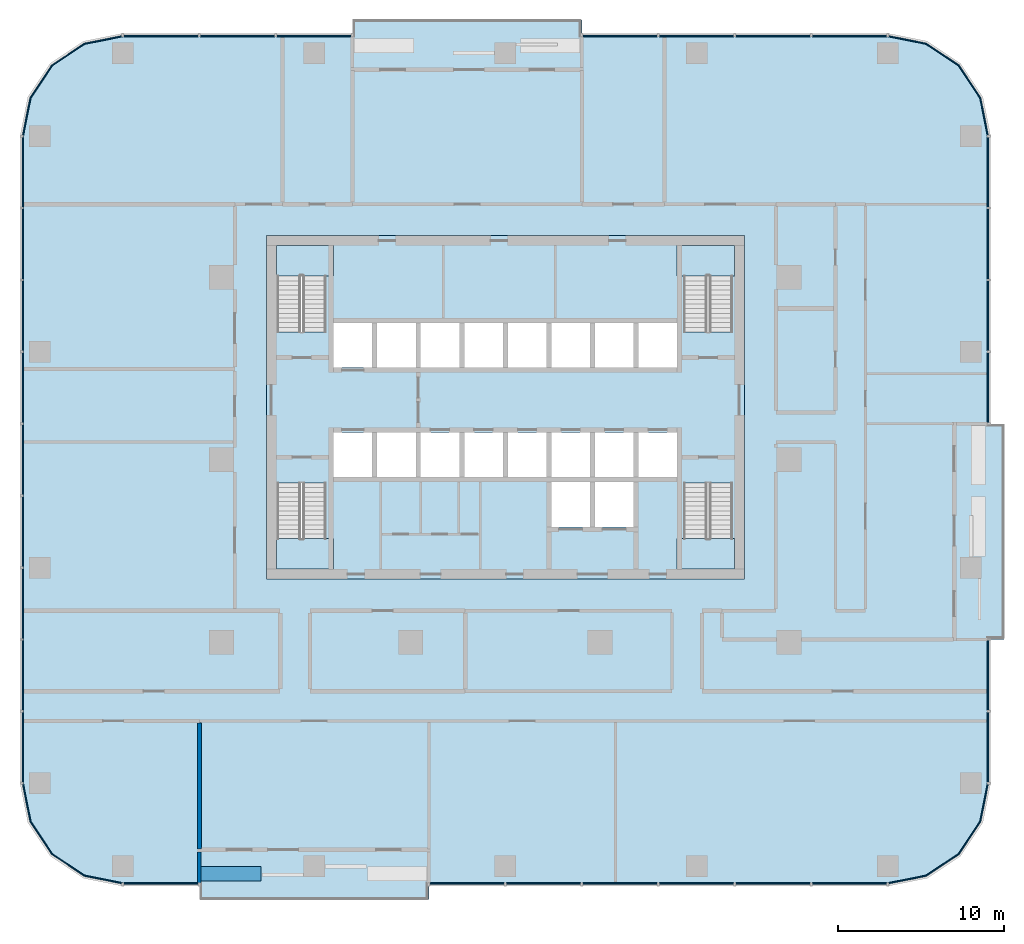
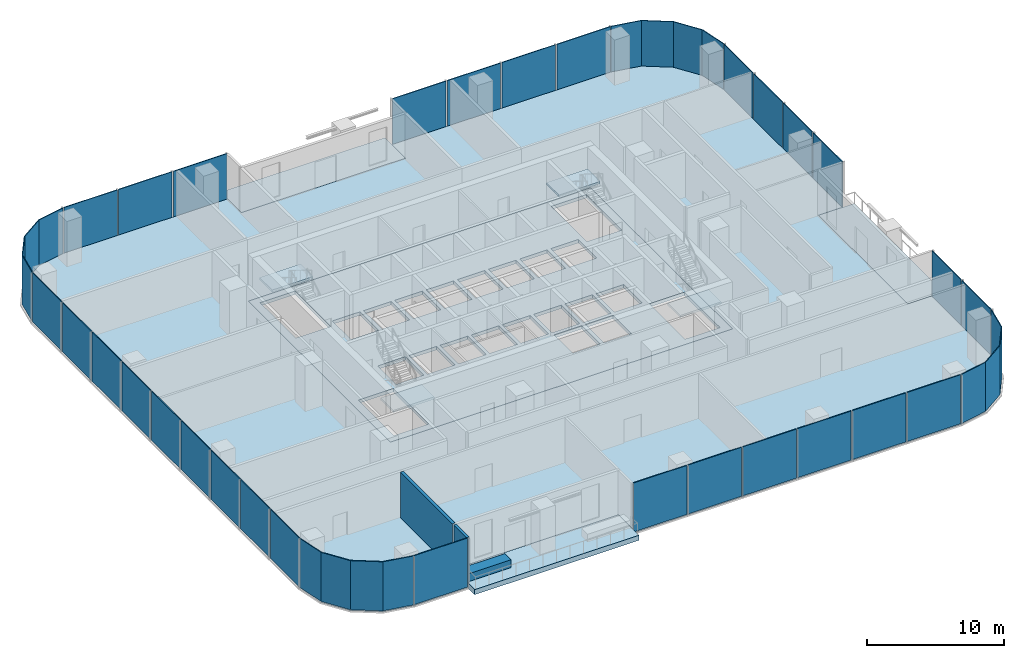
# One storey, part 6 of 14: 33 plates, 9 slabs, 3 walls, 15 elements without a shape of their own.
"""IFC4 building model written with IfcOpenShell, lengths in metres."""

from ifc_helpers import new_model, si_unit, direction, frame, frame_2d, origin, origin_2d, place, context, subcontext, project, spatial, polyline, rectangle, outline, extrude, material, layer, layer_set, type_object, element, aggregate, save


model = new_model("IFC4")

# Units and contexts
model_context = context("Model", 3, precision=1e-05, world=origin(), true_north=direction((0.0, 1.0)))
body_context = subcontext(model_context, "Body", "Model", "MODEL_VIEW")
ifc_project = project(units=[si_unit("LENGTHUNIT", "METRE"), si_unit("AREAUNIT", "SQUARE_METRE"), si_unit("VOLUMEUNIT", "CUBIC_METRE"), si_unit("PLANEANGLEUNIT", "RADIAN"), si_unit("MASSUNIT", "GRAM", prefix="KILO")], contexts=[model_context])

# Site, building, storey
site_placement = place(None, origin())
site = spatial("IfcSite", under=ifc_project, at=site_placement, CompositionType="ELEMENT")
building_placement = place(site_placement, origin())
building = spatial("IfcBuilding", under=site, at=building_placement, Name="Mopane Tessera Tower", CompositionType="ELEMENT")
storey_placement = place(building_placement, frame((0.0, 0.0, 139.60009765625)))
storey = spatial("IfcBuildingStorey", under=building, at=storey_placement, Name="L28", CompositionType="ELEMENT", Elevation=139.60009765625)

# Slab
ifc_material_1 = material(Name="Concrete C40/50", Category="concrete")
ifc_layer_1 = layer(ifc_material_1, 0.300048828125)
ifc_layer_set_1 = layer_set([ifc_layer_1], Name="Concrete C40/50")
slab_type_1 = type_object("IfcSlabType", Name="Core floor slab 300 mm", PredefinedType="FLOOR", material=ifc_layer_set_1)
slab_1_placement = place(storey_placement, frame((0.0, 0.0, -0.300048828125)))
element("IfcSlab", 1, at=slab_1_placement, inside=storey, type_object=slab_type_1, Name="L28 core floor slab", PredefinedType="FLOOR", context=body_context, shape_type="SweptSolid", body=[
    extrude(outline(polyline([(-14.39990234375, -7.199951171875), (14.39990234375, -7.199951171875), (14.39990234375, 13.5), (-14.39990234375, 13.5), (-14.39990234375, -7.199951171875)]), holes=[polyline([(-10.35009765625, -1.050048828125), (-8.02490234375, -1.050048828125), (-8.02490234375, 1.64990234375), (-10.35009765625, 1.64990234375), (-10.35009765625, -1.050048828125)]), polyline([(-7.72509765625, -1.050048828125), (-5.39990234375, -1.050048828125), (-5.39990234375, 1.64990234375), (-7.72509765625, 1.64990234375), (-7.72509765625, -1.050048828125)]), polyline([(-5.10009765625, -1.050048828125), (-2.77490234375, -1.050048828125), (-2.77490234375, 1.64990234375), (-5.10009765625, 1.64990234375), (-5.10009765625, -1.050048828125)]), polyline([(-2.47509765625, -1.050048828125), (-0.14990234375, -1.050048828125), (-0.14990234375, 1.64990234375), (-2.47509765625, 1.64990234375), (-2.47509765625, -1.050048828125)]), polyline([(0.14990234375, -1.050048828125), (2.47509765625, -1.050048828125), (2.47509765625, 1.64990234375), (0.14990234375, 1.64990234375), (0.14990234375, -1.050048828125)]), polyline([(2.77490234375, -1.050048828125), (5.10009765625, -1.050048828125), (5.10009765625, 1.64990234375), (2.77490234375, 1.64990234375), (2.77490234375, -1.050048828125)]), polyline([(5.39990234375, -1.050048828125), (7.72509765625, -1.050048828125), (7.72509765625, 1.64990234375), (5.39990234375, 1.64990234375), (5.39990234375, -1.050048828125)]), polyline([(8.02490234375, -1.050048828125), (10.35009765625, -1.050048828125), (10.35009765625, 1.64990234375), (8.02490234375, 1.64990234375), (8.02490234375, -1.050048828125)]), polyline([(-10.35009765625, 5.550048828125), (-8.02490234375, 5.550048828125), (-8.02490234375, 8.25), (-10.35009765625, 8.25), (-10.35009765625, 5.550048828125)]), polyline([(-7.72509765625, 5.550048828125), (-5.39990234375, 5.550048828125), (-5.39990234375, 8.25), (-7.72509765625, 8.25), (-7.72509765625, 5.550048828125)]), polyline([(-5.10009765625, 5.550048828125), (-2.77490234375, 5.550048828125), (-2.77490234375, 8.25), (-5.10009765625, 8.25), (-5.10009765625, 5.550048828125)]), polyline([(-2.47509765625, 5.550048828125), (-0.14990234375, 5.550048828125), (-0.14990234375, 8.25), (-2.47509765625, 8.25), (-2.47509765625, 5.550048828125)]), polyline([(0.14990234375, 5.550048828125), (2.47509765625, 5.550048828125), (2.47509765625, 8.25), (0.14990234375, 8.25), (0.14990234375, 5.550048828125)]), polyline([(2.77490234375, 5.550048828125), (5.10009765625, 5.550048828125), (5.10009765625, 8.25), (2.77490234375, 8.25), (2.77490234375, 5.550048828125)]), polyline([(5.39990234375, 5.550048828125), (7.72509765625, 5.550048828125), (7.72509765625, 8.25), (5.39990234375, 8.25), (5.39990234375, 5.550048828125)]), polyline([(8.02490234375, 5.550048828125), (10.35009765625, 5.550048828125), (10.35009765625, 8.25), (8.02490234375, 8.25), (8.02490234375, 5.550048828125)]), polyline([(2.77490234375, -4.050048828125), (5.10009765625, -4.050048828125), (5.10009765625, -1.35009765625), (2.77490234375, -1.35009765625), (2.77490234375, -4.050048828125)]), polyline([(5.39990234375, -4.050048828125), (7.72509765625, -4.050048828125), (7.72509765625, -1.35009765625), (5.39990234375, -1.35009765625), (5.39990234375, -4.050048828125)]), polyline([(-13.75, -1.405029296875), (-13.75, -6.60009765625), (-10.800048828125, -6.60009765625), (-10.800048828125, -1.405029296875), (-13.75, -1.405029296875)]), polyline([(-10.800048828125, 7.705078125), (-10.800048828125, 12.89990234375), (-13.75, 12.89990234375), (-13.75, 7.705078125), (-10.800048828125, 7.705078125)]), polyline([(10.75, -1.405029296875), (10.75, -6.60009765625), (13.699951171875, -6.60009765625), (13.699951171875, -1.405029296875), (10.75, -1.405029296875)]), polyline([(13.699951171875, 7.705078125), (13.699951171875, 12.89990234375), (10.75, 12.89990234375), (10.75, 7.705078125), (13.699951171875, 7.705078125)])]), origin(), (0.0, 0.0, 1.0), 0.300048828125),
])

# Stair, slab
ifc_material_2 = material(Name="Concrete C50/60", Category="concrete")
stair_type = type_object("IfcStairType", Name="Escape stair 1400 mm, riser 173 mm", PredefinedType="HALF_TURN_STAIR", material=ifc_material_2)
stair_1_placement = place(storey_placement, origin())
stair_1 = element("IfcStair", 2, at=stair_1_placement, inside=storey, type_object=stair_type, Name="L28 Escape stair south-west", PredefinedType="HALF_TURN_STAIR")
ifc_material_3 = material(Name="Concrete C50/60", Category="concrete")
ifc_layer_2 = layer(ifc_material_3, 0.199951171875)
ifc_layer_set_2 = layer_set([ifc_layer_2], Name="Concrete C50/60")
slab_type_2 = type_object("IfcSlabType", Name="Escape stair landing 200 mm", PredefinedType="LANDING", material=ifc_layer_set_2)
slab_2_placement = place(storey_placement, frame((0.0, 0.0, 2.0498046875)))
slab_2 = element("IfcSlab", 3, at=slab_2_placement, type_object=slab_type_2, Name="ST1 landing 1", PredefinedType="LANDING", context=body_context, shape_type="SweptSolid", body=[
    extrude(outline(polyline([(-13.800048828125, -4.760009765625), (-13.800048828125, -6.60009765625), (-10.35009765625, -6.60009765625), (-10.35009765625, -4.760009765625), (-13.800048828125, -4.760009765625)])), origin(), (0.0, 0.0, 1.0), 0.2001953125),
])
aggregate(stair_1, [slab_2])

stair_2_placement = place(storey_placement, origin())
stair_2 = element("IfcStair", 4, at=stair_2_placement, inside=storey, type_object=stair_type, Name="L28 Escape stair north-west", PredefinedType="HALF_TURN_STAIR")
slab_3_placement = place(storey_placement, frame((0.0, 0.0, 2.0498046875)))
slab_3 = element("IfcSlab", 5, at=slab_3_placement, type_object=slab_type_2, Name="ST2 landing 1", PredefinedType="LANDING", context=body_context, shape_type="SweptSolid", body=[
    extrude(outline(polyline([(-10.35009765625, 11.06005859375), (-10.35009765625, 12.89990234375), (-13.800048828125, 12.89990234375), (-13.800048828125, 11.06005859375), (-10.35009765625, 11.06005859375)])), origin(), (0.0, 0.0, 1.0), 0.2001953125),
])
aggregate(stair_2, [slab_3])

stair_3_placement = place(storey_placement, origin())
stair_3 = element("IfcStair", 6, at=stair_3_placement, inside=storey, type_object=stair_type, Name="L28 Escape stair south-east", PredefinedType="HALF_TURN_STAIR")
slab_4_placement = place(storey_placement, frame((0.0, 0.0, 2.0498046875)))
slab_4 = element("IfcSlab", 7, at=slab_4_placement, type_object=slab_type_2, Name="ST3 landing 1", PredefinedType="LANDING", context=body_context, shape_type="SweptSolid", body=[
    extrude(outline(polyline([(10.35009765625, -4.760009765625), (10.35009765625, -6.60009765625), (13.800048828125, -6.60009765625), (13.800048828125, -4.760009765625), (10.35009765625, -4.760009765625)])), origin(), (0.0, 0.0, 1.0), 0.2001953125),
])
aggregate(stair_3, [slab_4])

stair_4_placement = place(storey_placement, origin())
stair_4 = element("IfcStair", 8, at=stair_4_placement, inside=storey, type_object=stair_type, Name="L28 Escape stair north-east", PredefinedType="HALF_TURN_STAIR")
slab_5_placement = place(storey_placement, frame((0.0, 0.0, 2.0498046875)))
slab_5 = element("IfcSlab", 9, at=slab_5_placement, type_object=slab_type_2, Name="ST4 landing 1", PredefinedType="LANDING", context=body_context, shape_type="SweptSolid", body=[
    extrude(outline(polyline([(13.800048828125, 11.06005859375), (13.800048828125, 12.89990234375), (10.35009765625, 12.89990234375), (10.35009765625, 11.06005859375), (13.800048828125, 11.06005859375)])), origin(), (0.0, 0.0, 1.0), 0.2001953125),
])
aggregate(stair_4, [slab_5])

# Curtain wall, plate
ifc_material_4 = material(Name="Aluminium frame", Category="aluminium")
curtain_wall_type = type_object("IfcCurtainWallType", Name="Lower tower unitised wall", PredefinedType="NOTDEFINED", material=ifc_material_4)
curtain_wall_1_placement = place(storey_placement, origin())
curtain_wall_1 = element("IfcCurtainWall", 10, at=curtain_wall_1_placement, inside=storey, type_object=curtain_wall_type, Name="e:cw:L28:S:0", PredefinedType="NOTDEFINED")
ifc_material_5 = material(Name="Clear laminated glass", Category="glass")
ifc_layer_3 = layer(ifc_material_5, 0.070068359375)
ifc_layer_set_3 = layer_set([ifc_layer_3], Name="Clear laminated glass")
plate_type = type_object("IfcPlateType", Name="Laminated glazed unit 70", PredefinedType="CURTAIN_PANEL", material=ifc_layer_set_3)
plate_1_placement = place(storey_placement, frame((-20.7451171875, -25.534912109375, -0.31005859375), z_axis=(0.0, 0.0, 1.0), x_axis=(1.0, 0.0, 0.0)))
plate_1 = element("IfcPlate", 11, at=plate_1_placement, type_object=plate_type, Name="e:cw:L28:S:0:pn0", PredefinedType="CURTAIN_PANEL", context=body_context, shape_type="SweptSolid", body=[
    extrude(rectangle(XDim=4.5, YDim=0.070068359375, at=origin_2d()), origin(), (0.0, 0.0, 1.0), 4.360107421875),
])
aggregate(curtain_wall_1, [plate_1])

# Curtain wall, plates
curtain_wall_2_placement = place(storey_placement, origin())
curtain_wall_2 = element("IfcCurtainWall", 12, at=curtain_wall_2_placement, inside=storey, type_object=curtain_wall_type, Name="e:cw:L28:S:4", PredefinedType="NOTDEFINED")
plate_2_placement = place(storey_placement, frame((-2.304931640625, -25.534912109375, -0.31005859375), z_axis=(0.0, 0.0, 1.0), x_axis=(1.0, 0.0, 0.0)))
plate_2 = element("IfcPlate", 13, at=plate_2_placement, type_object=plate_type, Name="e:cw:L28:S:4:pn4", PredefinedType="CURTAIN_PANEL", context=body_context, shape_type="SweptSolid", body=[
    extrude(rectangle(XDim=4.5, YDim=0.070068359375, at=origin_2d()), origin(), (0.0, 0.0, 1.0), 4.360107421875),
])
plate_3_placement = place(storey_placement, frame((2.304931640625, -25.534912109375, -0.31005859375), z_axis=(0.0, 0.0, 1.0), x_axis=(1.0, 0.0, 0.0)))
plate_3 = element("IfcPlate", 14, at=plate_3_placement, type_object=plate_type, Name="e:cw:L28:S:4:pn5", PredefinedType="CURTAIN_PANEL", context=body_context, shape_type="SweptSolid", body=[
    extrude(rectangle(XDim=4.5, YDim=0.070068359375, at=origin_2d()), origin(), (0.0, 0.0, 1.0), 4.360107421875),
])
plate_4_placement = place(storey_placement, frame((6.9150390625, -25.534912109375, -0.31005859375), z_axis=(0.0, 0.0, 1.0), x_axis=(1.0, 0.0, 0.0)))
plate_4 = element("IfcPlate", 15, at=plate_4_placement, type_object=plate_type, Name="e:cw:L28:S:4:pn6", PredefinedType="CURTAIN_PANEL", context=body_context, shape_type="SweptSolid", body=[
    extrude(rectangle(XDim=4.5, YDim=0.070068359375, at=origin_2d()), origin(), (0.0, 0.0, 1.0), 4.360107421875),
])
plate_5_placement = place(storey_placement, frame((11.52490234375, -25.534912109375, -0.31005859375), z_axis=(0.0, 0.0, 1.0), x_axis=(1.0, 0.0, 0.0)))
plate_5 = element("IfcPlate", 16, at=plate_5_placement, type_object=plate_type, Name="e:cw:L28:S:4:pn7", PredefinedType="CURTAIN_PANEL", context=body_context, shape_type="SweptSolid", body=[
    extrude(rectangle(XDim=4.5, YDim=0.070068359375, at=origin_2d()), origin(), (0.0, 0.0, 1.0), 4.360107421875),
])
plate_6_placement = place(storey_placement, frame((16.135009765625, -25.534912109375, -0.31005859375), z_axis=(0.0, 0.0, 1.0), x_axis=(1.0, 0.0, 0.0)))
plate_6 = element("IfcPlate", 17, at=plate_6_placement, type_object=plate_type, Name="e:cw:L28:S:4:pn8", PredefinedType="CURTAIN_PANEL", context=body_context, shape_type="SweptSolid", body=[
    extrude(rectangle(XDim=4.5, YDim=0.070068359375, at=origin_2d()), origin(), (0.0, 0.0, 1.0), 4.360107421875),
])
plate_7_placement = place(storey_placement, frame((20.7451171875, -25.534912109375, -0.31005859375), z_axis=(0.0, 0.0, 1.0), x_axis=(1.0, 0.0, 0.0)))
plate_7 = element("IfcPlate", 18, at=plate_7_placement, type_object=plate_type, Name="e:cw:L28:S:4:pn9", PredefinedType="CURTAIN_PANEL", context=body_context, shape_type="SweptSolid", body=[
    extrude(rectangle(XDim=4.5, YDim=0.070068359375, at=origin_2d()), origin(), (0.0, 0.0, 1.0), 4.360107421875),
])
aggregate(curtain_wall_2, [plate_2, plate_3, plate_4, plate_5, plate_6, plate_7])

# Curtain wall, plate
curtain_wall_3_placement = place(storey_placement, origin())
curtain_wall_3 = element("IfcCurtainWall", 19, at=curtain_wall_3_placement, inside=storey, type_object=curtain_wall_type, Name="e:cw:L28:CS", PredefinedType="NOTDEFINED")
plate_8_placement = place(storey_placement, frame((0.0, 0.0, -0.31005859375)))
plate_8 = element("IfcPlate", 20, at=plate_8_placement, type_object=plate_type, Name="e:cw:L28:CS:pn", PredefinedType="CURTAIN_PANEL", context=body_context, shape_type="SweptSolid", body=[
    extrude(outline(polyline([(23.050048828125, -25.5), (25.34619140625, -25.043212890625), (27.292724609375, -23.74267578125), (28.59326171875, -21.796142578125), (29.050048828125, -19.5), (29.1201171875, -19.5), (28.657958984375, -21.822998046875), (27.342041015625, -23.792236328125), (25.372802734375, -25.10791015625), (23.050048828125, -25.570068359375), (23.050048828125, -25.5)])), origin(), (0.0, 0.0, 1.0), 4.35986328125),
])
aggregate(curtain_wall_3, [plate_8])

# Curtain wall, plates
curtain_wall_4_placement = place(storey_placement, origin())
curtain_wall_4 = element("IfcCurtainWall", 21, at=curtain_wall_4_placement, inside=storey, type_object=curtain_wall_type, Name="e:cw:L28:E:0", PredefinedType="NOTDEFINED")
plate_9_placement = place(storey_placement, frame((29.0849609375, -17.333251953125, -0.31005859375), z_axis=(0.0, 0.0, 1.0), x_axis=(0.0, 1.0, 0.0)))
plate_9 = element("IfcPlate", 22, at=plate_9_placement, type_object=plate_type, Name="e:cw:L28:E:0:pn0", PredefinedType="CURTAIN_PANEL", context=body_context, shape_type="SweptSolid", body=[
    extrude(rectangle(XDim=4.223388671875, YDim=0.070068359375, at=origin_2d()), origin(), (0.0, 0.0, 1.0), 4.360107421875),
])
plate_10_placement = place(storey_placement, frame((29.0849609375, -13.0, -0.31005859375), z_axis=(0.0, 0.0, 1.0), x_axis=(0.0, 1.0, 0.0)))
plate_10 = element("IfcPlate", 23, at=plate_10_placement, type_object=plate_type, Name="e:cw:L28:E:0:pn1", PredefinedType="CURTAIN_PANEL", context=body_context, shape_type="SweptSolid", body=[
    extrude(rectangle(XDim=4.223388671875, YDim=0.070068359375, at=origin_2d()), origin(), (0.0, 0.0, 1.0), 4.360107421875),
])
aggregate(curtain_wall_4, [plate_9, plate_10])

curtain_wall_5_placement = place(storey_placement, origin())
curtain_wall_5 = element("IfcCurtainWall", 24, at=curtain_wall_5_placement, inside=storey, type_object=curtain_wall_type, Name="e:cw:L28:E:5", PredefinedType="NOTDEFINED")
plate_11_placement = place(storey_placement, frame((29.0849609375, 4.333251953125, -0.31005859375), z_axis=(0.0, 0.0, 1.0), x_axis=(0.0, 1.0, 0.0)))
plate_11 = element("IfcPlate", 25, at=plate_11_placement, type_object=plate_type, Name="e:cw:L28:E:5:pn5", PredefinedType="CURTAIN_PANEL", context=body_context, shape_type="SweptSolid", body=[
    extrude(rectangle(XDim=4.223388671875, YDim=0.070068359375, at=origin_2d()), origin(), (0.0, 0.0, 1.0), 4.360107421875),
])
plate_12_placement = place(storey_placement, frame((29.0849609375, 8.666748046875, -0.31005859375), z_axis=(0.0, 0.0, 1.0), x_axis=(0.0, 1.0, 0.0)))
plate_12 = element("IfcPlate", 26, at=plate_12_placement, type_object=plate_type, Name="e:cw:L28:E:5:pn6", PredefinedType="CURTAIN_PANEL", context=body_context, shape_type="SweptSolid", body=[
    extrude(rectangle(XDim=4.223388671875, YDim=0.070068359375, at=origin_2d()), origin(), (0.0, 0.0, 1.0), 4.360107421875),
])
plate_13_placement = place(storey_placement, frame((29.0849609375, 13.0, -0.31005859375), z_axis=(0.0, 0.0, 1.0), x_axis=(0.0, 1.0, 0.0)))
plate_13 = element("IfcPlate", 27, at=plate_13_placement, type_object=plate_type, Name="e:cw:L28:E:5:pn7", PredefinedType="CURTAIN_PANEL", context=body_context, shape_type="SweptSolid", body=[
    extrude(rectangle(XDim=4.223388671875, YDim=0.070068359375, at=origin_2d()), origin(), (0.0, 0.0, 1.0), 4.360107421875),
])
plate_14_placement = place(storey_placement, frame((29.0849609375, 17.333251953125, -0.31005859375), z_axis=(0.0, 0.0, 1.0), x_axis=(0.0, 1.0, 0.0)))
plate_14 = element("IfcPlate", 28, at=plate_14_placement, type_object=plate_type, Name="e:cw:L28:E:5:pn8", PredefinedType="CURTAIN_PANEL", context=body_context, shape_type="SweptSolid", body=[
    extrude(rectangle(XDim=4.223388671875, YDim=0.070068359375, at=origin_2d()), origin(), (0.0, 0.0, 1.0), 4.360107421875),
])
aggregate(curtain_wall_5, [plate_11, plate_12, plate_13, plate_14])

# Curtain wall, plate
curtain_wall_6_placement = place(storey_placement, origin())
curtain_wall_6 = element("IfcCurtainWall", 29, at=curtain_wall_6_placement, inside=storey, type_object=curtain_wall_type, Name="e:cw:L28:CE", PredefinedType="NOTDEFINED")
plate_15_placement = place(storey_placement, frame((0.0, 0.0, -0.31005859375)))
plate_15 = element("IfcPlate", 30, at=plate_15_placement, type_object=plate_type, Name="e:cw:L28:CE:pn", PredefinedType="CURTAIN_PANEL", context=body_context, shape_type="SweptSolid", body=[
    extrude(outline(polyline([(29.050048828125, 19.5), (28.59326171875, 21.796142578125), (27.292724609375, 23.74267578125), (25.34619140625, 25.043212890625), (23.050048828125, 25.5), (23.050048828125, 25.570068359375), (25.372802734375, 25.10791015625), (27.342041015625, 23.792236328125), (28.657958984375, 21.822998046875), (29.1201171875, 19.5), (29.050048828125, 19.5)])), origin(), (0.0, 0.0, 1.0), 4.35986328125),
])
aggregate(curtain_wall_6, [plate_15])

# Curtain wall, plates
curtain_wall_7_placement = place(storey_placement, origin())
curtain_wall_7 = element("IfcCurtainWall", 31, at=curtain_wall_7_placement, inside=storey, type_object=curtain_wall_type, Name="e:cw:L28:N:0", PredefinedType="NOTDEFINED")
plate_16_placement = place(storey_placement, frame((20.7451171875, 25.534912109375, -0.31005859375), z_axis=(0.0, 0.0, 1.0), x_axis=(-1.0, 0.0, 0.0)))
plate_16 = element("IfcPlate", 32, at=plate_16_placement, type_object=plate_type, Name="e:cw:L28:N:0:pn0", PredefinedType="CURTAIN_PANEL", context=body_context, shape_type="SweptSolid", body=[
    extrude(rectangle(XDim=4.5, YDim=0.070068359375, at=origin_2d()), origin(), (0.0, 0.0, 1.0), 4.360107421875),
])
plate_17_placement = place(storey_placement, frame((16.135009765625, 25.534912109375, -0.31005859375), z_axis=(0.0, 0.0, 1.0), x_axis=(-1.0, 0.0, 0.0)))
plate_17 = element("IfcPlate", 33, at=plate_17_placement, type_object=plate_type, Name="e:cw:L28:N:0:pn1", PredefinedType="CURTAIN_PANEL", context=body_context, shape_type="SweptSolid", body=[
    extrude(rectangle(XDim=4.5, YDim=0.070068359375, at=origin_2d()), origin(), (0.0, 0.0, 1.0), 4.360107421875),
])
plate_18_placement = place(storey_placement, frame((11.52490234375, 25.534912109375, -0.31005859375), z_axis=(0.0, 0.0, 1.0), x_axis=(-1.0, 0.0, 0.0)))
plate_18 = element("IfcPlate", 34, at=plate_18_placement, type_object=plate_type, Name="e:cw:L28:N:0:pn2", PredefinedType="CURTAIN_PANEL", context=body_context, shape_type="SweptSolid", body=[
    extrude(rectangle(XDim=4.5, YDim=0.070068359375, at=origin_2d()), origin(), (0.0, 0.0, 1.0), 4.360107421875),
])
plate_19_placement = place(storey_placement, frame((6.9150390625, 25.534912109375, -0.31005859375), z_axis=(0.0, 0.0, 1.0), x_axis=(-1.0, 0.0, 0.0)))
plate_19 = element("IfcPlate", 35, at=plate_19_placement, type_object=plate_type, Name="e:cw:L28:N:0:pn3", PredefinedType="CURTAIN_PANEL", context=body_context, shape_type="SweptSolid", body=[
    extrude(rectangle(XDim=4.5, YDim=0.070068359375, at=origin_2d()), origin(), (0.0, 0.0, 1.0), 4.360107421875),
])
aggregate(curtain_wall_7, [plate_16, plate_17, plate_18, plate_19])

curtain_wall_8_placement = place(storey_placement, origin())
curtain_wall_8 = element("IfcCurtainWall", 36, at=curtain_wall_8_placement, inside=storey, type_object=curtain_wall_type, Name="e:cw:L28:N:7", PredefinedType="NOTDEFINED")
plate_20_placement = place(storey_placement, frame((-11.52490234375, 25.534912109375, -0.31005859375), z_axis=(0.0, 0.0, 1.0), x_axis=(-1.0, 0.0, 0.0)))
plate_20 = element("IfcPlate", 37, at=plate_20_placement, type_object=plate_type, Name="e:cw:L28:N:7:pn7", PredefinedType="CURTAIN_PANEL", context=body_context, shape_type="SweptSolid", body=[
    extrude(rectangle(XDim=4.5, YDim=0.070068359375, at=origin_2d()), origin(), (0.0, 0.0, 1.0), 4.360107421875),
])
plate_21_placement = place(storey_placement, frame((-16.135009765625, 25.534912109375, -0.31005859375), z_axis=(0.0, 0.0, 1.0), x_axis=(-1.0, 0.0, 0.0)))
plate_21 = element("IfcPlate", 38, at=plate_21_placement, type_object=plate_type, Name="e:cw:L28:N:7:pn8", PredefinedType="CURTAIN_PANEL", context=body_context, shape_type="SweptSolid", body=[
    extrude(rectangle(XDim=4.5, YDim=0.070068359375, at=origin_2d()), origin(), (0.0, 0.0, 1.0), 4.360107421875),
])
plate_22_placement = place(storey_placement, frame((-20.7451171875, 25.534912109375, -0.31005859375), z_axis=(0.0, 0.0, 1.0), x_axis=(-1.0, 0.0, 0.0)))
plate_22 = element("IfcPlate", 39, at=plate_22_placement, type_object=plate_type, Name="e:cw:L28:N:7:pn9", PredefinedType="CURTAIN_PANEL", context=body_context, shape_type="SweptSolid", body=[
    extrude(rectangle(XDim=4.5, YDim=0.070068359375, at=origin_2d()), origin(), (0.0, 0.0, 1.0), 4.360107421875),
])
aggregate(curtain_wall_8, [plate_20, plate_21, plate_22])

# Curtain wall, plate
curtain_wall_9_placement = place(storey_placement, origin())
curtain_wall_9 = element("IfcCurtainWall", 40, at=curtain_wall_9_placement, inside=storey, type_object=curtain_wall_type, Name="e:cw:L28:CN", PredefinedType="NOTDEFINED")
plate_23_placement = place(storey_placement, frame((0.0, 0.0, -0.31005859375)))
plate_23 = element("IfcPlate", 41, at=plate_23_placement, type_object=plate_type, Name="e:cw:L28:CN:pn", PredefinedType="CURTAIN_PANEL", context=body_context, shape_type="SweptSolid", body=[
    extrude(outline(polyline([(-23.050048828125, 25.5), (-25.34619140625, 25.043212890625), (-27.292724609375, 23.74267578125), (-28.59326171875, 21.796142578125), (-29.050048828125, 19.5), (-29.1201171875, 19.5), (-28.657958984375, 21.822998046875), (-27.342041015625, 23.792236328125), (-25.372802734375, 25.10791015625), (-23.050048828125, 25.570068359375), (-23.050048828125, 25.5)])), origin(), (0.0, 0.0, 1.0), 4.35986328125),
])
aggregate(curtain_wall_9, [plate_23])

# Curtain wall, plates
curtain_wall_10_placement = place(storey_placement, origin())
curtain_wall_10 = element("IfcCurtainWall", 42, at=curtain_wall_10_placement, inside=storey, type_object=curtain_wall_type, Name="e:cw:L28:W:0", PredefinedType="NOTDEFINED")
plate_24_placement = place(storey_placement, frame((-29.0849609375, 17.333251953125, -0.31005859375), z_axis=(0.0, 0.0, 1.0), x_axis=(0.0, -1.0, 0.0)))
plate_24 = element("IfcPlate", 43, at=plate_24_placement, type_object=plate_type, Name="e:cw:L28:W:0:pn0", PredefinedType="CURTAIN_PANEL", context=body_context, shape_type="SweptSolid", body=[
    extrude(rectangle(XDim=4.223388671875, YDim=0.070068359375, at=origin_2d()), origin(), (0.0, 0.0, 1.0), 4.360107421875),
])
plate_25_placement = place(storey_placement, frame((-29.0849609375, 13.0, -0.31005859375), z_axis=(0.0, 0.0, 1.0), x_axis=(0.0, -1.0, 0.0)))
plate_25 = element("IfcPlate", 44, at=plate_25_placement, type_object=plate_type, Name="e:cw:L28:W:0:pn1", PredefinedType="CURTAIN_PANEL", context=body_context, shape_type="SweptSolid", body=[
    extrude(rectangle(XDim=4.223388671875, YDim=0.070068359375, at=origin_2d()), origin(), (0.0, 0.0, 1.0), 4.360107421875),
])
plate_26_placement = place(storey_placement, frame((-29.0849609375, 8.666748046875, -0.31005859375), z_axis=(0.0, 0.0, 1.0), x_axis=(0.0, -1.0, 0.0)))
plate_26 = element("IfcPlate", 45, at=plate_26_placement, type_object=plate_type, Name="e:cw:L28:W:0:pn2", PredefinedType="CURTAIN_PANEL", context=body_context, shape_type="SweptSolid", body=[
    extrude(rectangle(XDim=4.223388671875, YDim=0.070068359375, at=origin_2d()), origin(), (0.0, 0.0, 1.0), 4.360107421875),
])
plate_27_placement = place(storey_placement, frame((-29.0849609375, 4.333251953125, -0.31005859375), z_axis=(0.0, 0.0, 1.0), x_axis=(0.0, -1.0, 0.0)))
plate_27 = element("IfcPlate", 46, at=plate_27_placement, type_object=plate_type, Name="e:cw:L28:W:0:pn3", PredefinedType="CURTAIN_PANEL", context=body_context, shape_type="SweptSolid", body=[
    extrude(rectangle(XDim=4.223388671875, YDim=0.070068359375, at=origin_2d()), origin(), (0.0, 0.0, 1.0), 4.360107421875),
])
plate_28_placement = place(storey_placement, frame((-29.0849609375, 0.0, -0.31005859375), z_axis=(0.0, 0.0, 1.0), x_axis=(0.0, -1.0, 0.0)))
plate_28 = element("IfcPlate", 47, at=plate_28_placement, type_object=plate_type, Name="e:cw:L28:W:0:pn4", PredefinedType="CURTAIN_PANEL", context=body_context, shape_type="SweptSolid", body=[
    extrude(rectangle(XDim=4.223388671875, YDim=0.070068359375, at=origin_2d()), origin(), (0.0, 0.0, 1.0), 4.360107421875),
])
plate_29_placement = place(storey_placement, frame((-29.0849609375, -4.333251953125, -0.31005859375), z_axis=(0.0, 0.0, 1.0), x_axis=(0.0, -1.0, 0.0)))
plate_29 = element("IfcPlate", 48, at=plate_29_placement, type_object=plate_type, Name="e:cw:L28:W:0:pn5", PredefinedType="CURTAIN_PANEL", context=body_context, shape_type="SweptSolid", body=[
    extrude(rectangle(XDim=4.223388671875, YDim=0.070068359375, at=origin_2d()), origin(), (0.0, 0.0, 1.0), 4.360107421875),
])
plate_30_placement = place(storey_placement, frame((-29.0849609375, -8.666748046875, -0.31005859375), z_axis=(0.0, 0.0, 1.0), x_axis=(0.0, -1.0, 0.0)))
plate_30 = element("IfcPlate", 49, at=plate_30_placement, type_object=plate_type, Name="e:cw:L28:W:0:pn6", PredefinedType="CURTAIN_PANEL", context=body_context, shape_type="SweptSolid", body=[
    extrude(rectangle(XDim=4.223388671875, YDim=0.070068359375, at=origin_2d()), origin(), (0.0, 0.0, 1.0), 4.360107421875),
])
plate_31_placement = place(storey_placement, frame((-29.0849609375, -13.0, -0.31005859375), z_axis=(0.0, 0.0, 1.0), x_axis=(0.0, -1.0, 0.0)))
plate_31 = element("IfcPlate", 50, at=plate_31_placement, type_object=plate_type, Name="e:cw:L28:W:0:pn7", PredefinedType="CURTAIN_PANEL", context=body_context, shape_type="SweptSolid", body=[
    extrude(rectangle(XDim=4.223388671875, YDim=0.070068359375, at=origin_2d()), origin(), (0.0, 0.0, 1.0), 4.360107421875),
])
plate_32_placement = place(storey_placement, frame((-29.0849609375, -17.333251953125, -0.31005859375), z_axis=(0.0, 0.0, 1.0), x_axis=(0.0, -1.0, 0.0)))
plate_32 = element("IfcPlate", 51, at=plate_32_placement, type_object=plate_type, Name="e:cw:L28:W:0:pn8", PredefinedType="CURTAIN_PANEL", context=body_context, shape_type="SweptSolid", body=[
    extrude(rectangle(XDim=4.223388671875, YDim=0.070068359375, at=origin_2d()), origin(), (0.0, 0.0, 1.0), 4.360107421875),
])
aggregate(curtain_wall_10, [plate_24, plate_25, plate_26, plate_27, plate_28, plate_29, plate_30, plate_31, plate_32])

# Curtain wall, plate
curtain_wall_11_placement = place(storey_placement, origin())
curtain_wall_11 = element("IfcCurtainWall", 52, at=curtain_wall_11_placement, inside=storey, type_object=curtain_wall_type, Name="e:cw:L28:CW", PredefinedType="NOTDEFINED")
plate_33_placement = place(storey_placement, frame((0.0, 0.0, -0.31005859375)))
plate_33 = element("IfcPlate", 53, at=plate_33_placement, type_object=plate_type, Name="e:cw:L28:CW:pn", PredefinedType="CURTAIN_PANEL", context=body_context, shape_type="SweptSolid", body=[
    extrude(outline(polyline([(-29.050048828125, -19.5), (-28.59326171875, -21.796142578125), (-27.292724609375, -23.74267578125), (-25.34619140625, -25.043212890625), (-23.050048828125, -25.5), (-23.050048828125, -25.570068359375), (-25.372802734375, -25.10791015625), (-27.342041015625, -23.792236328125), (-28.657958984375, -21.822998046875), (-29.1201171875, -19.5), (-29.050048828125, -19.5)])), origin(), (0.0, 0.0, 1.0), 4.35986328125),
])
aggregate(curtain_wall_11, [plate_33])

# Slabs
ifc_material_6 = material(Name="Concrete C40/50", Category="concrete")
ifc_layer_4 = layer(ifc_material_6, 0.449951171875)
ifc_layer_set_4 = layer_set([ifc_layer_4], Name="Concrete C40/50")
slab_type_3 = type_object("IfcSlabType", Name="Planted terrace slab 450 mm", PredefinedType="FLOOR", material=ifc_layer_set_4)
slab_6_placement = place(storey_placement, frame((0.0, 0.0, -0.4501953125)))
element("IfcSlab", 54, at=slab_6_placement, inside=storey, type_object=slab_type_3, Name="Terrace slab N1 L28", PredefinedType="FLOOR", context=body_context, shape_type="SweptSolid", body=[
    extrude(outline(polyline([(-9.219970703125, 26.5), (-9.219970703125, 23.5), (4.610107421875, 23.5), (4.610107421875, 26.5), (-9.219970703125, 26.5)])), origin(), (0.0, 0.0, 1.0), 0.4501953125),
])
slab_7_placement = place(storey_placement, frame((0.0, 0.0, -0.4501953125)))
element("IfcSlab", 55, at=slab_7_placement, inside=storey, type_object=slab_type_3, Name="Terrace slab N2 L28", PredefinedType="FLOOR", context=body_context, shape_type="SweptSolid", body=[
    extrude(outline(polyline([(-4.610107421875, -26.5), (-4.610107421875, -23.5), (-18.43994140625, -23.5), (-18.43994140625, -26.5), (-4.610107421875, -26.5)])), origin(), (0.0, 0.0, 1.0), 0.4501953125),
])
slab_8_placement = place(storey_placement, frame((0.0, 0.0, -0.4501953125)))
element("IfcSlab", 56, at=slab_8_placement, inside=storey, type_object=slab_type_3, Name="Terrace slab N3 L28", PredefinedType="FLOOR", context=body_context, shape_type="SweptSolid", body=[
    extrude(outline(polyline([(30.050048828125, 2.166748046875), (27.050048828125, 2.166748046875), (27.050048828125, -10.833251953125), (30.050048828125, -10.833251953125), (30.050048828125, 2.166748046875)])), origin(), (0.0, 0.0, 1.0), 0.4501953125),
])
ifc_material_7 = material(Name="Concrete C40/50", Category="concrete")
ifc_layer_5 = layer(ifc_material_7, 0.449951171875)
ifc_layer_set_5 = layer_set([ifc_layer_5], Name="Concrete C40/50")
slab_type_4 = type_object("IfcSlabType", Name="Post-tensioned flat plate 450 mm", PredefinedType="FLOOR", material=ifc_layer_set_5)
slab_9_placement = place(storey_placement, frame((0.0, 0.0, -0.4501953125)))
element("IfcSlab", 57, at=slab_9_placement, inside=storey, type_object=slab_type_4, Name="Floor slab L28", PredefinedType="FLOOR", context=body_context, shape_type="SweptSolid", body=[
    extrude(outline(polyline([(-23.050048828125, -25.5), (-18.43994140625, -25.5), (-18.43994140625, -23.5), (-4.610107421875, -23.5), (-4.610107421875, -25.5), (23.050048828125, -25.5), (25.34619140625, -25.043212890625), (27.292724609375, -23.74267578125), (28.59326171875, -21.796142578125), (29.050048828125, -19.5), (29.050048828125, -10.833251953125), (27.050048828125, -10.833251953125), (27.050048828125, 2.166748046875), (29.050048828125, 2.166748046875), (29.050048828125, 19.5), (28.59326171875, 21.796142578125), (27.292724609375, 23.74267578125), (25.34619140625, 25.043212890625), (23.050048828125, 25.5), (4.610107421875, 25.5), (4.610107421875, 23.5), (-9.219970703125, 23.5), (-9.219970703125, 25.5), (-23.050048828125, 25.5), (-25.34619140625, 25.043212890625), (-27.292724609375, 23.74267578125), (-28.59326171875, 21.796142578125), (-29.050048828125, 19.5), (-29.050048828125, -19.5), (-28.59326171875, -21.796142578125), (-27.292724609375, -23.74267578125), (-25.34619140625, -25.043212890625), (-23.050048828125, -25.5)]), holes=[polyline([(14.39990234375, -7.199951171875), (-14.39990234375, -7.199951171875), (-14.39990234375, 13.5), (14.39990234375, 13.5), (14.39990234375, -7.199951171875)])]), origin(), (0.0, 0.0, 1.0), 0.4501953125),
])

# Walls
ifc_material_8 = material(Name="Reinforced concrete C32/40 with waterproofing", Category="concrete")
ifc_layer_6 = layer(ifc_material_8, 0.89990234375)
ifc_layer_set_6 = layer_set([ifc_layer_6], Name="Reinforced concrete C32/40 with waterproofing")
wall_type_1 = type_object("IfcWallType", Name="Planter trough 3600 x 900", PredefinedType="STANDARD", material=ifc_layer_set_6)
wall_1_placement = place(storey_placement, frame((-18.340087890625, -24.949951171875, 0.0), z_axis=(0.0, 0.0, 1.0), x_axis=(1.0, 0.0, 0.0)))
element("IfcWall", 58, at=wall_1_placement, inside=storey, type_object=wall_type_1, Name="e:nw:L28:N2:pl0", PredefinedType="STANDARD", context=body_context, shape_type="SweptSolid", body=[
    extrude(rectangle(XDim=3.60009765625, YDim=0.89990234375, at=frame_2d((1.800048828125, 0.0))), origin(), (0.0, 0.0, 1.0), 0.699951171875),
])
ifc_material_9 = material(Name="Plastered concrete blockwork C20/25", Category="masonry")
ifc_layer_7 = layer(ifc_material_9, 0.25)
ifc_layer_set_7 = layer_set([ifc_layer_7], Name="Plastered concrete blockwork C20/25")
wall_type_2 = type_object("IfcWallType", Name="Plastered blockwork wall 250, rated EI 120", PredefinedType="PARTITIONING", material=ifc_layer_set_7)
wall_2_placement = place(storey_placement, frame((-18.43994140625, -23.449951171875, 0.0), z_axis=(0.0, 0.0, 1.0), x_axis=(0.0, 1.0, 0.0)))
element("IfcWall", 59, at=wall_2_placement, inside=storey, type_object=wall_type_2, Name="Partition L28:030", PredefinedType="PARTITIONING", context=body_context, shape_type="SweptSolid", body=[
    extrude(rectangle(XDim=7.574951171875, YDim=0.25, at=frame_2d((3.78759765625, 0.0))), origin(), (0.0, 0.0, 1.0), 4.0498046875),
])
ifc_material_10 = material(Name="Blockwork with glazed tile facing", Category="masonry")
ifc_layer_8 = layer(ifc_material_10, 0.199951171875)
ifc_layer_set_8 = layer_set([ifc_layer_8], Name="Blockwork with glazed tile facing")
wall_type_3 = type_object("IfcWallType", Name="Terrace cheek wall 200", PredefinedType="STANDARD", material=ifc_layer_set_8)
wall_3_placement = place(storey_placement, frame((-18.43994140625, -25.5, 0.0), z_axis=(0.0, 0.0, 1.0), x_axis=(0.0, 1.0, 0.0)))
element("IfcWall", 60, at=wall_3_placement, inside=storey, type_object=wall_type_3, Name="e:nw:L28:N2:cheeka", PredefinedType="STANDARD", context=body_context, shape_type="SweptSolid", body=[
    extrude(rectangle(XDim=1.875, YDim=0.199951171875, at=frame_2d((0.9375, 0.0))), origin(), (0.0, 0.0, 1.0), 4.0498046875),
])

save(model, "model.ifc")
